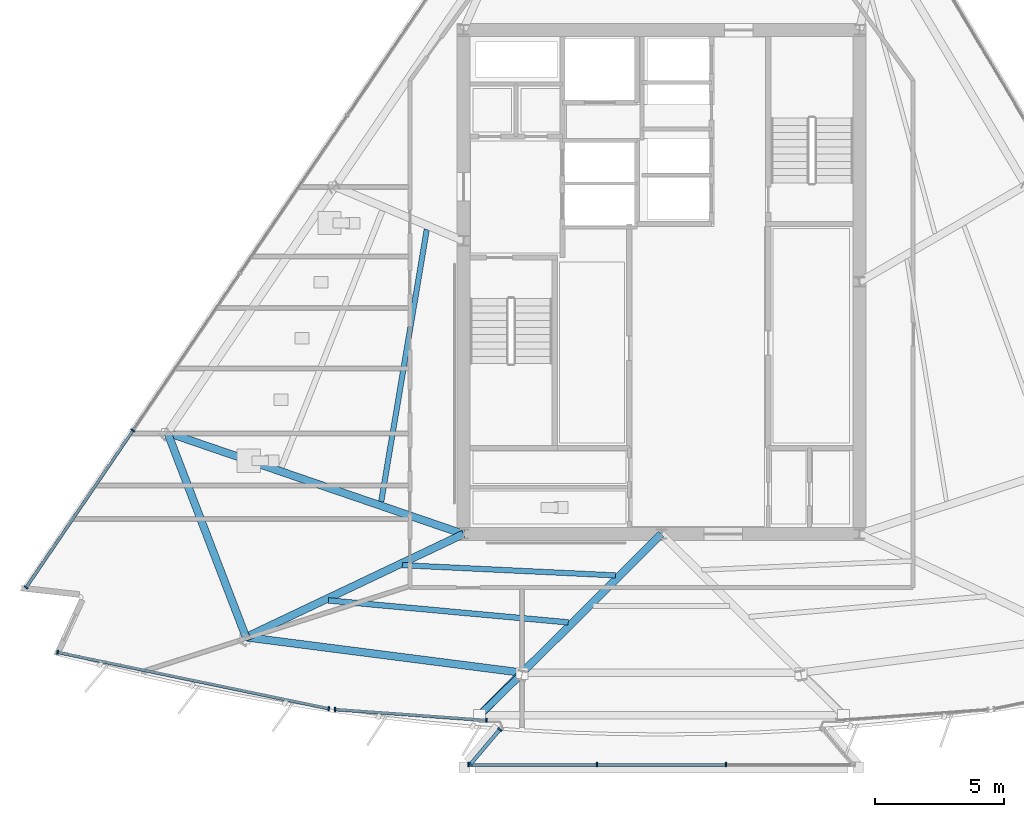
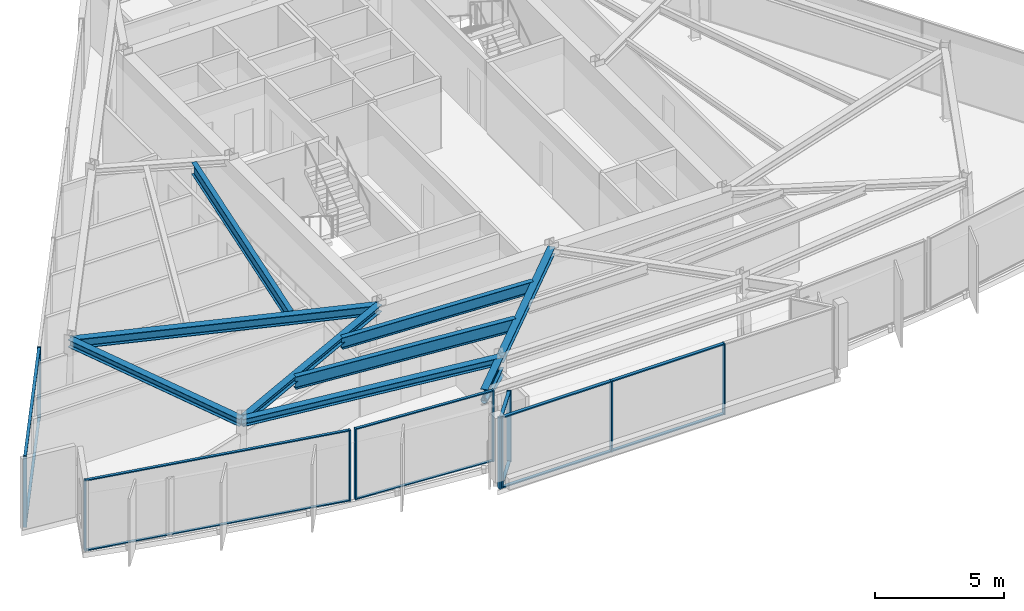
# One storey, part 2 of 14: 24 members, 9 beams, 5 elements without a shape of their own.
"""IFC4 building model written with IfcOpenShell, lengths in metres."""

from ifc_helpers import new_model, si_unit, direction, frame, origin, origin_2d, place, context, subcontext, project, spatial, rectangle, hollow_circle, i_section, extrude, material, material_profile, profile_set, type_object, element, aggregate, save


model = new_model("IFC4")

# Units and contexts
model_context = context("Model", 3, precision=1e-05, world=origin(), true_north=direction((0.0, 1.0)))
body_context = subcontext(model_context, "Body", "Model", "MODEL_VIEW")
ifc_project = project(units=[si_unit("LENGTHUNIT", "METRE"), si_unit("AREAUNIT", "SQUARE_METRE"), si_unit("VOLUMEUNIT", "CUBIC_METRE"), si_unit("PLANEANGLEUNIT", "RADIAN"), si_unit("MASSUNIT", "GRAM", prefix="KILO")], contexts=[model_context])

# Site, building, storey
site_placement = place(None, origin())
site = spatial("IfcSite", under=ifc_project, at=site_placement, CompositionType="ELEMENT")
building_placement = place(site_placement, origin())
building = spatial("IfcBuilding", under=site, at=building_placement, Name="Savorim Split Tower", CompositionType="ELEMENT")
storey_placement = place(building_placement, frame((0.0, 0.0, 234.300048828125)))
storey = spatial("IfcBuildingStorey", under=building, at=storey_placement, Name="L62", CompositionType="ELEMENT", Elevation=234.300048828125)

# Beams
ifc_material_1 = material(Name="Steel S355", Category="steel")
ifc_material_profile_1 = material_profile(ifc_material_1, i_section(OverallWidth=0.2099609375, OverallDepth=0.550048828125, WebThickness=0.010986328125, FlangeThickness=0.01708984375, FilletRadius=0.02392578125, at=origin_2d()), Name="IPE 550")
ifc_profile_set_1 = profile_set([ifc_material_profile_1], Name="Steel S355")
beam_type_1 = type_object("IfcBeamType", Name="BM-JST-IPE550", PredefinedType="JOIST", material=ifc_profile_set_1)
beam_1_placement = place(storey_placement, frame((-10.07568359375, -10.611572265625, 3.074951171875), z_axis=(0.998848961306, -0.047966159931, 0.0), x_axis=(0.047966159931, 0.998848961306, 0.0)))
element("IfcBeam", 1, at=beam_1_placement, inside=storey, type_object=beam_type_1, Name="L62 Secondary Floor Joist JS-02", PredefinedType="JOIST", context=body_context, shape_type="SweptSolid", body=[
    extrude(i_section(OverallWidth=0.2099609375, OverallDepth=0.550048828125, WebThickness=0.010986328125, FlangeThickness=0.01708984375, FilletRadius=0.02392578125, at=origin_2d()), origin(), (0.0, 0.0, 1.0), 8.301513671875),
])
beam_2_placement = place(storey_placement, frame((-9.125, 2.433349609375, 3.074951171875), z_axis=(-0.16513396479, -0.986271146122, 0.0), x_axis=(0.986271146122, -0.16513396479, 0.0)))
element("IfcBeam", 2, at=beam_2_placement, inside=storey, type_object=beam_type_1, Name="L62 Secondary Floor Joist JS-11", PredefinedType="JOIST", context=body_context, shape_type="SweptSolid", body=[
    extrude(i_section(OverallWidth=0.2099609375, OverallDepth=0.550048828125, WebThickness=0.010986328125, FlangeThickness=0.01708984375, FilletRadius=0.02392578125, at=origin_2d()), origin(), (0.0, 0.0, 1.0), 10.71875),
])
ifc_material_profile_2 = material_profile(ifc_material_1, i_section(OverallWidth=0.219970703125, OverallDepth=0.60009765625, WebThickness=0.011962890625, FlangeThickness=0.01904296875, FilletRadius=0.02392578125, at=origin_2d()), Name="IPE 600")
ifc_profile_set_2 = profile_set([ifc_material_profile_2], Name="Steel S355")
beam_type_2 = type_object("IfcBeamType", Name="BM-JST-IPE600", PredefinedType="JOIST", material=ifc_profile_set_2)
beam_3_placement = place(storey_placement, frame((-12.949951171875, -11.98291015625, 3.050048828125), z_axis=(0.995840688033, -0.091111602217, 0.0), x_axis=(0.091111602217, 0.995840688033, 0.0)))
element("IfcBeam", 3, at=beam_3_placement, inside=storey, type_object=beam_type_2, Name="L62 Secondary Floor Joist JS-01", PredefinedType="JOIST", context=body_context, shape_type="SweptSolid", body=[
    extrude(i_section(OverallWidth=0.219970703125, OverallDepth=0.60009765625, WebThickness=0.011962890625, FlangeThickness=0.01904296875, FilletRadius=0.02392578125, at=origin_2d()), origin(), (0.0, 0.0, 1.0), 9.365234375),
])
ifc_material_profile_3 = material_profile(ifc_material_1, i_section(OverallWidth=0.300048828125, OverallDepth=0.320068359375, WebThickness=0.011474609375, FlangeThickness=0.0205078125, FilletRadius=0.027099609375, at=origin_2d()), Name="HEB 320")
ifc_profile_set_3 = profile_set([ifc_material_profile_3], Name="Steel S355")
beam_type_3 = type_object("IfcBeamType", Name="BM-PRI-HEB320", PredefinedType="BEAM", material=ifc_profile_set_3)
beam_4_placement = place(storey_placement, frame((-16.15185546875, -13.4130859375, 3.18994140625), z_axis=(0.903338424943, 0.428928537197, 0.0), x_axis=(-0.428928537197, 0.903338424943, 0.0)))
element("IfcBeam", 4, at=beam_4_placement, inside=storey, type_object=beam_type_3, Name="L62 Primary Floor Girder RG-01", PredefinedType="BEAM", context=body_context, shape_type="SweptSolid", body=[
    extrude(i_section(OverallWidth=0.300048828125, OverallDepth=0.320068359375, WebThickness=0.011474609375, FlangeThickness=0.0205078125, FilletRadius=0.027099609375, at=origin_2d()), origin(), (0.0, 0.0, 1.0), 9.356201171875),
])
beam_5_placement = place(storey_placement, frame((-5.413330078125, -14.791748046875, 3.18994140625), z_axis=(0.708511350107, 0.705699416728, 0.0), x_axis=(-0.705699416728, 0.708511350107, 0.0)))
element("IfcBeam", 5, at=beam_5_placement, inside=storey, type_object=beam_type_3, Name="L62 Primary Floor Girder RG-02", PredefinedType="BEAM", context=body_context, shape_type="SweptSolid", body=[
    extrude(i_section(OverallWidth=0.300048828125, OverallDepth=0.320068359375, WebThickness=0.011474609375, FlangeThickness=0.0205078125, FilletRadius=0.027099609375, at=origin_2d()), origin(), (0.0, 0.0, 1.0), 7.640380859375),
])
ifc_material_profile_4 = material_profile(ifc_material_1, i_section(OverallWidth=0.300048828125, OverallDepth=0.449951171875, WebThickness=0.013916015625, FlangeThickness=0.02587890625, FilletRadius=0.027099609375, at=origin_2d()), Name="HEB 450")
ifc_profile_set_4 = profile_set([ifc_material_profile_4], Name="Steel S355")
beam_type_4 = type_object("IfcBeamType", Name="BM-PRI-HEB450", PredefinedType="BEAM", material=ifc_profile_set_4)
beam_6_placement = place(storey_placement, frame((-19.20458984375, -5.457275390625, 3.125), z_axis=(0.945991863958, -0.324190365874, 0.0), x_axis=(0.324190365874, 0.945991863958, 0.0)))
element("IfcBeam", 6, at=beam_6_placement, inside=storey, type_object=beam_type_4, Name="L62 Primary Floor Girder RG-10", PredefinedType="BEAM", context=body_context, shape_type="SweptSolid", body=[
    extrude(i_section(OverallWidth=0.300048828125, OverallDepth=0.449951171875, WebThickness=0.013916015625, FlangeThickness=0.02587890625, FilletRadius=0.027099609375, at=origin_2d()), origin(), (0.0, 0.0, 1.0), 12.161376953125),
])
ifc_material_profile_5 = material_profile(ifc_material_1, i_section(OverallWidth=0.300048828125, OverallDepth=0.550048828125, WebThickness=0.014892578125, FlangeThickness=0.029052734375, FilletRadius=0.027099609375, at=origin_2d()), Name="HEB 550")
ifc_profile_set_5 = profile_set([ifc_material_profile_5], Name="Steel S355")
beam_type_5 = type_object("IfcBeamType", Name="BM-PRI-HEB550", PredefinedType="BEAM", material=ifc_profile_set_5)
beam_7_placement = place(storey_placement, frame((-5.413330078125, -14.791748046875, 3.074951171875), z_axis=(-0.708507861932, -0.705702918784, 0.0), x_axis=(0.705702918784, -0.708507861932, 0.0)))
element("IfcBeam", 7, at=beam_7_placement, inside=storey, type_object=beam_type_5, Name="L62 Cantilevered Lounge Rib 1", PredefinedType="BEAM", context=body_context, shape_type="SweptSolid", body=[
    extrude(i_section(OverallWidth=0.300048828125, OverallDepth=0.550048828125, WebThickness=0.014892578125, FlangeThickness=0.029052734375, FilletRadius=0.027099609375, at=origin_2d()), origin(), (0.0, 0.0, 1.0), 2.35009765625),
])
ifc_material_profile_6 = material_profile(ifc_material_1, i_section(OverallWidth=0.300048828125, OverallDepth=0.35009765625, WebThickness=0.010009765625, FlangeThickness=0.017578125, FilletRadius=0.027099609375, at=origin_2d()), Name="HEA 360")
ifc_profile_set_6 = profile_set([ifc_material_profile_6], Name="Steel S355")
beam_type_6 = type_object("IfcBeamType", Name="BM-SPN-HEA360", PredefinedType="SPANDREL", material=ifc_profile_set_6)
beam_8_placement = place(storey_placement, frame((-16.15185546875, -13.4130859375, 3.175048828125), z_axis=(0.991859186786, -0.127339520923, 0.0), x_axis=(0.127339520923, 0.991859186786, 0.0)))
element("IfcBeam", 8, at=beam_8_placement, inside=storey, type_object=beam_type_6, Name="L62 Perimeter Spandrel Beam 1", PredefinedType="SPANDREL", context=body_context, shape_type="SweptSolid", body=[
    extrude(i_section(OverallWidth=0.300048828125, OverallDepth=0.35009765625, WebThickness=0.010009765625, FlangeThickness=0.017578125, FilletRadius=0.027099609375, at=origin_2d()), origin(), (0.0, 0.0, 1.0), 10.82666015625),
])
beam_9_placement = place(storey_placement, frame((-19.20458984375, -5.457275390625, 3.175048828125), z_axis=(0.358243658803, -0.933628127751, 0.0), x_axis=(0.933628127751, 0.358243658803, 0.0)))
element("IfcBeam", 9, at=beam_9_placement, inside=storey, type_object=beam_type_6, Name="L62 Perimeter Spandrel Beam 10", PredefinedType="SPANDREL", context=body_context, shape_type="SweptSolid", body=[
    extrude(i_section(OverallWidth=0.300048828125, OverallDepth=0.35009765625, WebThickness=0.010009765625, FlangeThickness=0.017578125, FilletRadius=0.027099609375, at=origin_2d()), origin(), (0.0, 0.0, 1.0), 8.521484375),
])

# Curtain wall, members
ifc_material_2 = material(Name="Dark Ceramic-Fritted Insulated Glass", Category="glass")
curtain_wall_type_1 = type_object("IfcCurtainWallType", Name="CW-TWR-FRIT-B", PredefinedType="NOTDEFINED", material=ifc_material_2)
curtain_wall_1_placement = place(storey_placement, origin())
curtain_wall_1 = element("IfcCurtainWall", 10, at=curtain_wall_1_placement, inside=storey, type_object=curtain_wall_type_1, Name="L62 Curtain Wall CW-L62-SF1A", PredefinedType="NOTDEFINED")
ifc_material_3 = material(Name="Charcoal Anodised Aluminium", Category="aluminium")
ifc_material_profile_7 = material_profile(ifc_material_3, rectangle(XDim=0.159912109375, YDim=0.06005859375, at=origin_2d()), Name="ALU-M 160x60")
ifc_profile_set_7 = profile_set([ifc_material_profile_7], Name="Charcoal Anodised Aluminium")
member_type_1 = type_object("IfcMemberType", Name="CWM-160x60", PredefinedType="MULLION", material=ifc_profile_set_7)
member_1_placement = place(storey_placement, frame((-23.47705078125, -14.0, 0.0), z_axis=(0.0, 0.0, 1.0), x_axis=(0.203214786352, 0.979134184169, 0.0)))
member_1 = element("IfcMember", 11, at=member_1_placement, type_object=member_type_1, Name="CW-03 mullion 1", PredefinedType="MULLION", context=body_context, shape_type="SweptSolid", body=[
    extrude(rectangle(XDim=0.159912109375, YDim=0.06005859375, at=origin_2d()), origin(), (0.0, 0.0, 1.0), 3.349853515625),
])
member_2_placement = place(storey_placement, frame((-12.933349609375, -16.1884765625, 0.0), z_axis=(0.0, 0.0, 1.0), x_axis=(0.203214786352, 0.979134184169, 0.0)))
member_2 = element("IfcMember", 12, at=member_2_placement, type_object=member_type_1, Name="CW-03 mullion 2", PredefinedType="MULLION", context=body_context, shape_type="SweptSolid", body=[
    extrude(rectangle(XDim=0.159912109375, YDim=0.06005859375, at=origin_2d()), origin(), (0.0, 0.0, 1.0), 3.349853515625),
])

curtain_wall_2_placement = place(storey_placement, origin())
curtain_wall_2 = element("IfcCurtainWall", 13, at=curtain_wall_2_placement, inside=storey, type_object=curtain_wall_type_1, Name="L62 Curtain Wall CW-L62-SF2A", PredefinedType="NOTDEFINED")
member_3_placement = place(storey_placement, frame((-12.6923828125, -16.221923828125, 0.0), z_axis=(0.0, 0.0, 1.0), x_axis=(0.071557956097, 0.997436443549, 0.0)))
member_3 = element("IfcMember", 14, at=member_3_placement, type_object=member_type_1, Name="CW-03 mullion 1", PredefinedType="MULLION", context=body_context, shape_type="SweptSolid", body=[
    extrude(rectangle(XDim=0.159912109375, YDim=0.06005859375, at=origin_2d()), origin(), (0.0, 0.0, 1.0), 3.349853515625),
])
member_4_placement = place(storey_placement, frame((-6.801513671875, -16.64453125, 0.0), z_axis=(0.0, 0.0, 1.0), x_axis=(0.071557956097, 0.997436443549, 0.0)))
member_4 = element("IfcMember", 15, at=member_4_placement, type_object=member_type_1, Name="CW-03 mullion 2", PredefinedType="MULLION", context=body_context, shape_type="SweptSolid", body=[
    extrude(rectangle(XDim=0.159912109375, YDim=0.06005859375, at=origin_2d()), origin(), (0.0, 0.0, 1.0), 3.349853515625),
])

curtain_wall_3_placement = place(storey_placement, origin())
curtain_wall_3 = element("IfcCurtainWall", 16, at=curtain_wall_3_placement, inside=storey, type_object=curtain_wall_type_1, Name="L62 Curtain Wall CW-L62-WEST", PredefinedType="NOTDEFINED")
member_5_placement = place(storey_placement, frame((-20.5498046875, -5.375732421875, 0.0), z_axis=(0.0, 0.0, 1.0), x_axis=(0.826820024782, -0.562466573779, 0.0)))
member_5 = element("IfcMember", 17, at=member_5_placement, type_object=member_type_1, Name="CW-03 mullion 4", PredefinedType="MULLION", context=body_context, shape_type="SweptSolid", body=[
    extrude(rectangle(XDim=0.159912109375, YDim=0.06005859375, at=origin_2d()), origin(), (0.0, 0.0, 1.0), 3.349853515625),
])
member_6_placement = place(storey_placement, frame((-24.699462890625, -11.4755859375, 0.0), z_axis=(0.0, 0.0, 1.0), x_axis=(0.826820024782, -0.562466573779, 0.0)))
member_6 = element("IfcMember", 18, at=member_6_placement, type_object=member_type_1, Name="CW-03 mullion 5", PredefinedType="MULLION", context=body_context, shape_type="SweptSolid", body=[
    extrude(rectangle(XDim=0.159912109375, YDim=0.06005859375, at=origin_2d()), origin(), (0.0, 0.0, 1.0), 3.349853515625),
])

curtain_wall_type_2 = type_object("IfcCurtainWallType", Name="CW-BAY-LOUNGE", PredefinedType="NOTDEFINED", material=ifc_material_2)
curtain_wall_4_placement = place(storey_placement, origin())
curtain_wall_4 = element("IfcCurtainWall", 19, at=curtain_wall_4_placement, inside=storey, type_object=curtain_wall_type_2, Name="L62 Curtain Wall CW-L62-BAYF", PredefinedType="NOTDEFINED")
ifc_material_profile_8 = material_profile(ifc_material_3, rectangle(XDim=0.179931640625, YDim=0.06494140625, at=origin_2d()), Name="ALU-M 180x65")
ifc_profile_set_8 = profile_set([ifc_material_profile_8], Name="Charcoal Anodised Aluminium")
member_type_2 = type_object("IfcMemberType", Name="CWM-180x65", PredefinedType="MULLION", material=ifc_profile_set_8)
member_7_placement = place(storey_placement, frame((-7.501708984375, -18.36767578125, 0.0), z_axis=(0.0, 0.0, 1.0), x_axis=(0.0, 1.0, 0.0)))
member_7 = element("IfcMember", 20, at=member_7_placement, type_object=member_type_2, Name="CW-04 mullion 1", PredefinedType="MULLION", context=body_context, shape_type="SweptSolid", body=[
    extrude(rectangle(XDim=0.179931640625, YDim=0.06494140625, at=origin_2d()), origin(), (0.0, 0.0, 1.0), 3.349853515625),
])
member_8_placement = place(storey_placement, frame((-2.511474609375, -18.36767578125, 0.0), z_axis=(0.0, 0.0, 1.0), x_axis=(0.0, 1.0, 0.0)))
member_8 = element("IfcMember", 21, at=member_8_placement, type_object=member_type_2, Name="CW-04 mullion 2", PredefinedType="MULLION", context=body_context, shape_type="SweptSolid", body=[
    extrude(rectangle(XDim=0.179931640625, YDim=0.06494140625, at=origin_2d()), origin(), (0.0, 0.0, 1.0), 3.349853515625),
])
member_9_placement = place(storey_placement, frame((2.511474609375, -18.36767578125, 0.0), z_axis=(0.0, 0.0, 1.0), x_axis=(0.0, 1.0, 0.0)))
member_9 = element("IfcMember", 22, at=member_9_placement, type_object=member_type_2, Name="CW-04 mullion 3", PredefinedType="MULLION", context=body_context, shape_type="SweptSolid", body=[
    extrude(rectangle(XDim=0.179931640625, YDim=0.06494140625, at=origin_2d()), origin(), (0.0, 0.0, 1.0), 3.349853515625),
])

curtain_wall_5_placement = place(storey_placement, origin())
curtain_wall_5 = element("IfcCurtainWall", 23, at=curtain_wall_5_placement, inside=storey, type_object=curtain_wall_type_2, Name="L62 Curtain Wall CW-L62-BAYW", PredefinedType="NOTDEFINED")
member_10_placement = place(storey_placement, frame((-6.28271484375, -16.998046875, 0.0), z_axis=(0.0, 0.0, 1.0), x_axis=(0.764177330189, -0.645006207741, 0.0)))
member_10 = element("IfcMember", 24, at=member_10_placement, type_object=member_type_2, Name="CW-04 mullion 1", PredefinedType="MULLION", context=body_context, shape_type="SweptSolid", body=[
    extrude(rectangle(XDim=0.179931640625, YDim=0.06494140625, at=origin_2d()), origin(), (0.0, 0.0, 1.0), 3.349853515625),
])
member_11_placement = place(storey_placement, frame((-7.424560546875, -18.3505859375, 0.0), z_axis=(0.0, 0.0, 1.0), x_axis=(0.764177330189, -0.645006207741, 0.0)))
member_11 = element("IfcMember", 25, at=member_11_placement, type_object=member_type_2, Name="CW-04 mullion 2", PredefinedType="MULLION", context=body_context, shape_type="SweptSolid", body=[
    extrude(rectangle(XDim=0.179931640625, YDim=0.06494140625, at=origin_2d()), origin(), (0.0, 0.0, 1.0), 3.349853515625),
])

# Member
ifc_material_profile_9 = material_profile(ifc_material_3, rectangle(XDim=0.1201171875, YDim=0.050048828125, at=origin_2d()), Name="ALU-T 120x50")
ifc_profile_set_9 = profile_set([ifc_material_profile_9], Name="Charcoal Anodised Aluminium")
member_type_3 = type_object("IfcMemberType", Name="CWT-120x50", PredefinedType="USERDEFINED", material=ifc_profile_set_9)
member_12_placement = place(storey_placement, frame((-23.44775390625, -14.006103515625, 0.02490234375), z_axis=(0.979131697612, -0.203226766771, 0.0), x_axis=(0.203226766771, 0.979131697612, 0.0)))
member_12 = element("IfcMember", 26, at=member_12_placement, type_object=member_type_3, Name="CW-03 transom 1.1", ObjectType="TRANSOM", PredefinedType="USERDEFINED", context=body_context, shape_type="SweptSolid", body=[
    extrude(rectangle(XDim=0.1201171875, YDim=0.050048828125, at=origin_2d()), origin(), (0.0, 0.0, 1.0), 10.70849609375),
])

member_13_placement = place(storey_placement, frame((-23.44775390625, -14.006103515625, 3.324951171875), z_axis=(0.979131697612, -0.203226766771, 0.0), x_axis=(0.203226766771, 0.979131697612, 0.0)))
member_13 = element("IfcMember", 27, at=member_13_placement, type_object=member_type_3, Name="CW-03 transom 1.2", ObjectType="TRANSOM", PredefinedType="USERDEFINED", context=body_context, shape_type="SweptSolid", body=[
    extrude(rectangle(XDim=0.1201171875, YDim=0.050048828125, at=origin_2d()), origin(), (0.0, 0.0, 1.0), 10.70849609375),
])

aggregate(curtain_wall_1, [member_1, member_2, member_12, member_13])

member_14_placement = place(storey_placement, frame((-12.662353515625, -16.22412109375, 0.02490234375), z_axis=(0.997437668804, -0.071540875378, 0.0), x_axis=(0.071540875378, 0.997437668804, 0.0)))
member_14 = element("IfcMember", 28, at=member_14_placement, type_object=member_type_3, Name="CW-03 transom 1.1", ObjectType="TRANSOM", PredefinedType="USERDEFINED", context=body_context, shape_type="SweptSolid", body=[
    extrude(rectangle(XDim=0.1201171875, YDim=0.050048828125, at=origin_2d()), origin(), (0.0, 0.0, 1.0), 5.845703125),
])

member_15_placement = place(storey_placement, frame((-12.662353515625, -16.22412109375, 3.324951171875), z_axis=(0.997437668804, -0.071540875378, 0.0), x_axis=(0.071540875378, 0.997437668804, 0.0)))
member_15 = element("IfcMember", 29, at=member_15_placement, type_object=member_type_3, Name="CW-03 transom 1.2", ObjectType="TRANSOM", PredefinedType="USERDEFINED", context=body_context, shape_type="SweptSolid", body=[
    extrude(rectangle(XDim=0.1201171875, YDim=0.050048828125, at=origin_2d()), origin(), (0.0, 0.0, 1.0), 5.845703125),
])

aggregate(curtain_wall_2, [member_3, member_4, member_14, member_15])

member_16_placement = place(storey_placement, frame((-20.566650390625, -5.400390625, 0.02490234375), z_axis=(-0.562475185049, -0.826814166669, 0.0), x_axis=(0.826814166669, -0.562475185049, 0.0)))
member_16 = element("IfcMember", 30, at=member_16_placement, type_object=member_type_3, Name="CW-03 transom 4.1", ObjectType="TRANSOM", PredefinedType="USERDEFINED", context=body_context, shape_type="SweptSolid", body=[
    extrude(rectangle(XDim=0.1201171875, YDim=0.050048828125, at=origin_2d()), origin(), (0.0, 0.0, 1.0), 7.317626953125),
])

member_17_placement = place(storey_placement, frame((-20.566650390625, -5.400390625, 3.324951171875), z_axis=(-0.562475185049, -0.826814166669, 0.0), x_axis=(0.826814166669, -0.562475185049, 0.0)))
member_17 = element("IfcMember", 31, at=member_17_placement, type_object=member_type_3, Name="CW-03 transom 4.2", ObjectType="TRANSOM", PredefinedType="USERDEFINED", context=body_context, shape_type="SweptSolid", body=[
    extrude(rectangle(XDim=0.1201171875, YDim=0.050048828125, at=origin_2d()), origin(), (0.0, 0.0, 1.0), 7.317626953125),
])

aggregate(curtain_wall_3, [member_5, member_6, member_16, member_17])

ifc_material_profile_10 = material_profile(ifc_material_3, rectangle(XDim=0.139892578125, YDim=0.054931640625, at=origin_2d()), Name="ALU-T 140x55")
ifc_profile_set_10 = profile_set([ifc_material_profile_10], Name="Charcoal Anodised Aluminium")
member_type_4 = type_object("IfcMemberType", Name="CWT-140x55", PredefinedType="USERDEFINED", material=ifc_profile_set_10)
member_18_placement = place(storey_placement, frame((-7.468994140625, -18.36767578125, 0.02734375), z_axis=(1.0, 0.0, 0.0), x_axis=(0.0, 1.0, 0.0)))
member_18 = element("IfcMember", 32, at=member_18_placement, type_object=member_type_4, Name="CW-04 transom 1.1", ObjectType="TRANSOM", PredefinedType="USERDEFINED", context=body_context, shape_type="SweptSolid", body=[
    extrude(rectangle(XDim=0.139892578125, YDim=0.054931640625, at=origin_2d()), origin(), (0.0, 0.0, 1.0), 4.925048828125),
])

member_19_placement = place(storey_placement, frame((-7.468994140625, -18.36767578125, 3.322509765625), z_axis=(1.0, 0.0, 0.0), x_axis=(0.0, 1.0, 0.0)))
member_19 = element("IfcMember", 33, at=member_19_placement, type_object=member_type_4, Name="CW-04 transom 1.2", ObjectType="TRANSOM", PredefinedType="USERDEFINED", context=body_context, shape_type="SweptSolid", body=[
    extrude(rectangle(XDim=0.139892578125, YDim=0.054931640625, at=origin_2d()), origin(), (0.0, 0.0, 1.0), 4.925048828125),
])

member_20_placement = place(storey_placement, frame((-2.478759765625, -18.36767578125, 0.02734375), z_axis=(1.0, 0.0, 0.0), x_axis=(0.0, 1.0, 0.0)))
member_20 = element("IfcMember", 34, at=member_20_placement, type_object=member_type_4, Name="CW-04 transom 2.1", ObjectType="TRANSOM", PredefinedType="USERDEFINED", context=body_context, shape_type="SweptSolid", body=[
    extrude(rectangle(XDim=0.139892578125, YDim=0.054931640625, at=origin_2d()), origin(), (0.0, 0.0, 1.0), 4.95751953125),
])

member_21_placement = place(storey_placement, frame((-2.478759765625, -18.36767578125, 3.322509765625), z_axis=(1.0, 0.0, 0.0), x_axis=(0.0, 1.0, 0.0)))
member_21 = element("IfcMember", 35, at=member_21_placement, type_object=member_type_4, Name="CW-04 transom 2.2", ObjectType="TRANSOM", PredefinedType="USERDEFINED", context=body_context, shape_type="SweptSolid", body=[
    extrude(rectangle(XDim=0.139892578125, YDim=0.054931640625, at=origin_2d()), origin(), (0.0, 0.0, 1.0), 4.95751953125),
])

aggregate(curtain_wall_4, [member_7, member_8, member_9, member_18, member_19, member_20, member_21])

member_22_placement = place(storey_placement, frame((-6.3037109375, -17.022705078125, 0.02734375), z_axis=(-0.644959790456, -0.764216506427, 0.0), x_axis=(0.764216506427, -0.644959790456, 0.0)))
member_22 = element("IfcMember", 36, at=member_22_placement, type_object=member_type_4, Name="CW-04 transom 1.1", ObjectType="TRANSOM", PredefinedType="USERDEFINED", context=body_context, shape_type="SweptSolid", body=[
    extrude(rectangle(XDim=0.139892578125, YDim=0.054931640625, at=origin_2d()), origin(), (0.0, 0.0, 1.0), 1.705322265625),
])

member_23_placement = place(storey_placement, frame((-6.3037109375, -17.022705078125, 3.322509765625), z_axis=(-0.644959790456, -0.764216506427, 0.0), x_axis=(0.764216506427, -0.644959790456, 0.0)))
member_23 = element("IfcMember", 37, at=member_23_placement, type_object=member_type_4, Name="CW-04 transom 1.2", ObjectType="TRANSOM", PredefinedType="USERDEFINED", context=body_context, shape_type="SweptSolid", body=[
    extrude(rectangle(XDim=0.139892578125, YDim=0.054931640625, at=origin_2d()), origin(), (0.0, 0.0, 1.0), 1.705322265625),
])

aggregate(curtain_wall_5, [member_10, member_11, member_22, member_23])

ifc_material_profile_11 = material_profile(ifc_material_1, hollow_circle(Radius=0.136474609375, WallThickness=0.01611328125, at=origin_2d()), Name="CHS 273x16")
ifc_profile_set_11 = profile_set([ifc_material_profile_11], Name="Steel S355")
member_type_5 = type_object("IfcMemberType", Name="MBR-CRN-CHS273", PredefinedType="BRACE", material=ifc_profile_set_11)
member_24_placement = place(storey_placement, frame((-5.421142578125, -14.832275390625, 2.449951171875), z_axis=(-0.706576242468, -0.689817436482, 0.157803415377), x_axis=(0.698570137872, -0.715541586823, 0.0)))
element("IfcMember", 38, at=member_24_placement, inside=storey, type_object=member_type_5, Name="L62 Cantilevered Bay Support Strut 1", PredefinedType="BRACE", context=body_context, shape_type="SweptSolid", body=[
    extrude(hollow_circle(Radius=0.136474609375, WallThickness=0.01611328125, at=origin_2d()), origin(), (0.0, 0.0, 1.0), 2.345458984375),
])

save(model, "model.ifc")
